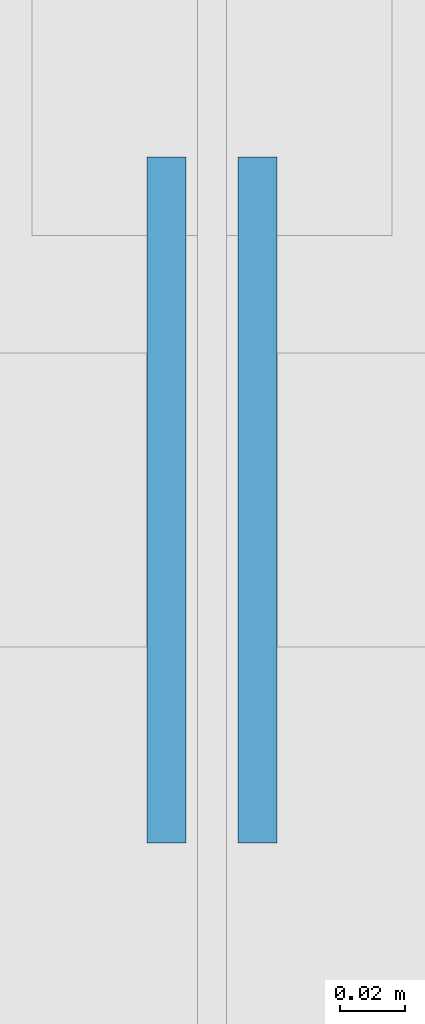
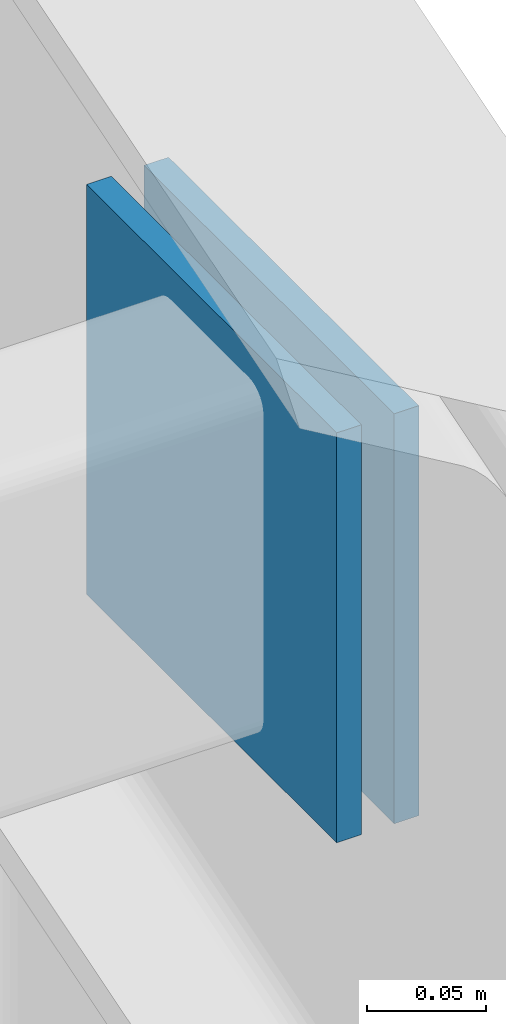
# One storey, part 129 of 163: 2 plates.
"""IFC4 building model written with IfcOpenShell, lengths in metres."""

from ifc_helpers import new_model, si_unit, direction, frame, origin, origin_2d, place, context, subcontext, project, spatial, rectangle, extrude, material, layer, layer_set, type_object, element, save


model = new_model("IFC4")

# Units and contexts
model_context = context("Model", 3, precision=1e-05, world=origin(), true_north=direction((0.0, 1.0)))
body_context = subcontext(model_context, "Body", "Model", "MODEL_VIEW")
ifc_project = project(units=[si_unit("LENGTHUNIT", "METRE"), si_unit("AREAUNIT", "SQUARE_METRE"), si_unit("VOLUMEUNIT", "CUBIC_METRE"), si_unit("PLANEANGLEUNIT", "RADIAN"), si_unit("MASSUNIT", "GRAM", prefix="KILO")], contexts=[model_context])

# Site, building, storey
site_placement = place(None, origin())
site = spatial("IfcSite", under=ifc_project, at=site_placement, CompositionType="ELEMENT")
building_placement = place(site_placement, origin())
building = spatial("IfcBuilding", under=site, at=building_placement, Name="Tharagai Park Tramway Depot", CompositionType="ELEMENT")
storey_placement = place(building_placement, frame((0.0, 0.0, 8.39990234375)))
storey = spatial("IfcBuildingStorey", under=building, at=storey_placement, Name="L02", CompositionType="ELEMENT", Elevation=8.39990234375)

# Plates
ifc_material = material(Name="Steel E350", Category="steel")
ifc_layer = layer(ifc_material, 0.011962890625)
ifc_layer_set = layer_set([ifc_layer], Name="Steel E350")
plate_type = type_object("IfcPlateType", Name="GP-04", PredefinedType="SHEET", material=ifc_layer_set)
for number, where, z_axis, x_axis, name in (
    (1, (62.986083984375, 103.5, 1.841552734375), (0.0, 0.0, 1.0), (1.0, 0.0, 0.0), "Tube End Cap Plate GP-04"),
    (2, (63.013916015625, 103.5, 1.841552734375), (0.0, 0.0, 1.0), (1.0, 0.0, 0.0), "Tube End Cap Plate GP-04"),
):
    element("IfcPlate", number, at=place(storey_placement, frame(where, z_axis=z_axis, x_axis=x_axis)), inside=storey, type_object=plate_type, Name=name, PredefinedType="SHEET", context=body_context, shape_type="SweptSolid", body=[
        extrude(rectangle(XDim=0.011962890625, YDim=0.2099609375, at=origin_2d()), origin(), (0.0, 0.0, 1.0), 0.2099609375),
    ])

save(model, "model.ifc")
